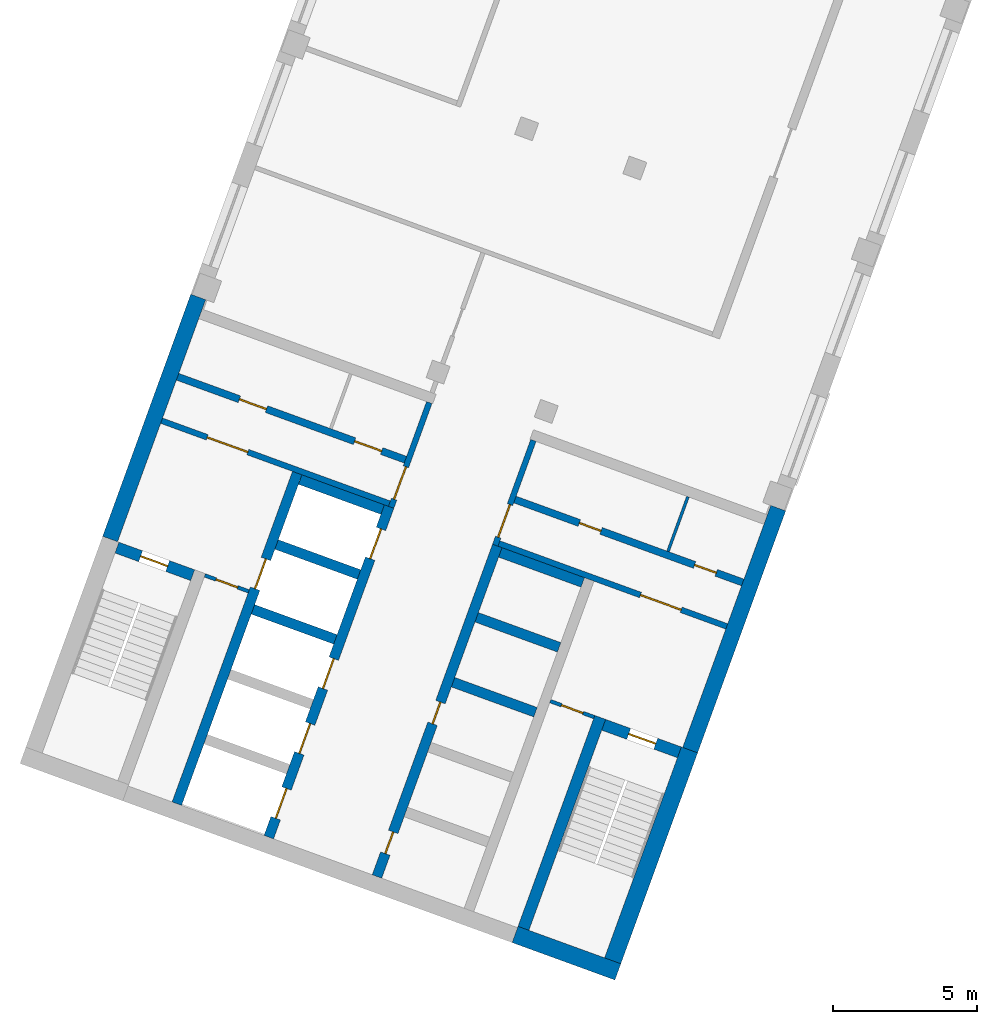
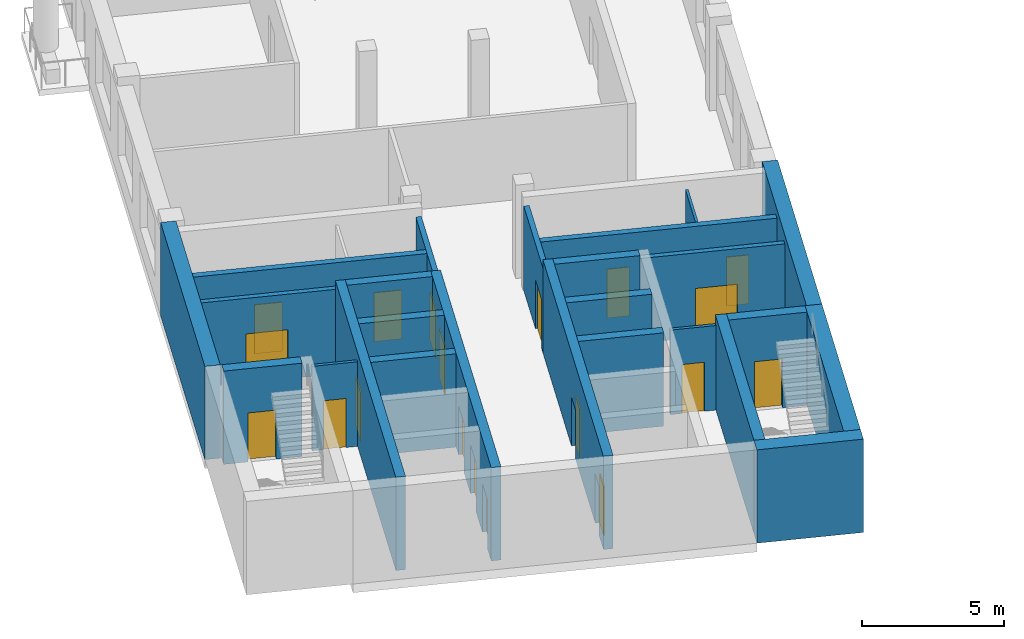
# One storey, part 2 of 10: 25 walls, 19 doors, 19 openings.
"""IFC4 building model written with IfcOpenShell, lengths in metres."""

from ifc_helpers import new_model, si_unit, direction, frame, frame_2d, origin, place, context, subcontext, project, spatial, rectangle, extrude, material, layer, layer_set, type_object, element, fill, save


model = new_model("IFC4")

# Units and contexts
model_context = context("Model", 3, precision=1e-05, world=origin(), true_north=direction((0.0, 1.0)))
body_context = subcontext(model_context, "Body", "Model", "MODEL_VIEW")
ifc_project = project(units=[si_unit("LENGTHUNIT", "METRE"), si_unit("AREAUNIT", "SQUARE_METRE"), si_unit("VOLUMEUNIT", "CUBIC_METRE"), si_unit("PLANEANGLEUNIT", "RADIAN"), si_unit("MASSUNIT", "GRAM", prefix="KILO")], contexts=[model_context])

# Site, building, storey
site_placement = place(None, origin())
site = spatial("IfcSite", under=ifc_project, at=site_placement, CompositionType="ELEMENT")
building_placement = place(site_placement, origin())
building = spatial("IfcBuilding", under=site, at=building_placement, Name="Skarvind Civic Tower", CompositionType="ELEMENT")
storey_placement = place(building_placement, frame((0.0, 0.0, 166.5)))
storey = spatial("IfcBuildingStorey", under=building, at=storey_placement, Name="L39", CompositionType="ELEMENT", Elevation=166.5)

# Wall, opening, door
ifc_material_1 = material(Name="Fire-rated masonry partition", Category="masonry")
ifc_layer_1 = layer(ifc_material_1, 0.199951171875)
ifc_layer_set_1 = layer_set([ifc_layer_1], Name="Core enclosure wall 200")
wall_type_1 = type_object("IfcWallType", Name="Core enclosure wall 200", PredefinedType="PARTITIONING", material=ifc_layer_set_1)
wall_1_placement = place(storey_placement, frame((31.45947265625, 93.67822265625, 0.0), z_axis=(0.0, 0.0, 1.0), x_axis=(0.341985870128, 0.939705094502, 0.0)))
wall_1 = element("IfcWall", 1, at=wall_1_placement, inside=storey, type_object=wall_type_1, Name="Core wall C2", PredefinedType="PARTITIONING", context=body_context, shape_type="SweptSolid", body=[
    extrude(rectangle(XDim=3.875, YDim=0.199951171875, at=frame_2d((1.9375, 0.0))), origin(), (0.0, 0.0, 1.0), 3.625),
])
opening_1_placement = place(wall_1_placement, frame((0.300048828125, 0.0, 0.0)))
opening_1 = element("IfcOpeningElement", 2, at=opening_1_placement, cuts=wall_1, Name="Opening D-L39-C2-07", PredefinedType="OPENING", context=body_context, shape_type="SweptSolid", body=[
    extrude(rectangle(XDim=1.199951171875, YDim=2.10009765625, at=frame_2d((0.60009765625, 1.050048828125))), frame((0.0, 0.10986328125, 0.0), z_axis=(0.0, -1.0, 0.0), x_axis=(1.0, 0.0, 0.0)), (0.0, 0.0, 1.0), 0.219970703125),
])
ifc_material_2 = material(Name="Fire-rated steel door", Category="steel")
door_type_1 = type_object("IfcDoorType", Name="Core lobby door 1200", OperationType="NOTDEFINED", PredefinedType="DOOR", material=ifc_material_2)
door_1_placement = place(opening_1_placement, origin())
door_1 = element("IfcDoor", 3, at=door_1_placement, inside=storey, type_object=door_type_1, Name="Fire door", OperationType="DOUBLE_DOOR_SINGLE_SWING", OverallHeight=2.10009765625, OverallWidth=1.199951171875, PredefinedType="DOOR", context=body_context, shape_type="SweptSolid", body=[
    extrude(rectangle(XDim=1.199951171875, YDim=2.10009765625, at=frame_2d((0.60009765625, 1.050048828125))), frame((0.0, 0.02490234375, 0.0), z_axis=(0.0, -1.0, 0.0), x_axis=(1.0, 0.0, 0.0)), (0.0, 0.0, 1.0), 0.050048828125),
])
fill(opening_1, door_1)

wall_2_placement = place(storey_placement, frame((23.482666015625, 96.68798828125, 0.0), z_axis=(0.0, 0.0, 1.0), x_axis=(0.939691007314, -0.342024576271, 0.0)))
wall_2 = element("IfcWall", 4, at=wall_2_placement, inside=storey, type_object=wall_type_1, Name="Core wall C2", PredefinedType="PARTITIONING", context=body_context, shape_type="SweptSolid", body=[
    extrude(rectangle(XDim=8.425048828125, YDim=0.199951171875, at=frame_2d((4.21240234375, 0.0))), origin(), (0.0, 0.0, 1.0), 3.625),
])
opening_2_placement = place(wall_2_placement, frame((1.6875, 0.0, 0.0)))
opening_2 = element("IfcOpeningElement", 5, at=opening_2_placement, cuts=wall_2, Name="Opening D-L39-C2-08", PredefinedType="OPENING", context=body_context, shape_type="SweptSolid", body=[
    extrude(rectangle(XDim=1.5, YDim=2.10009765625, at=frame_2d((0.75, 1.050048828125))), frame((0.0, 0.10986328125, 0.0), z_axis=(0.0, -1.0, 0.0), x_axis=(1.0, 0.0, 0.0)), (0.0, 0.0, 1.0), 0.219970703125),
])
door_type_2 = type_object("IfcDoorType", Name="Fire door 1500", OperationType="NOTDEFINED", PredefinedType="DOOR", material=ifc_material_2)
door_2_placement = place(opening_2_placement, origin())
door_2 = element("IfcDoor", 6, at=door_2_placement, inside=storey, type_object=door_type_2, Name="Fire door", OperationType="DOUBLE_DOOR_SINGLE_SWING", OverallHeight=2.10009765625, OverallWidth=1.5, PredefinedType="DOOR", context=body_context, shape_type="SweptSolid", body=[
    extrude(rectangle(XDim=1.5, YDim=2.10009765625, at=frame_2d((0.75, 1.050048828125))), frame((0.0, 0.02490234375, 0.0), z_axis=(0.0, -1.0, 0.0), x_axis=(1.0, 0.0, 0.0)), (0.0, 0.0, 1.0), 0.050048828125),
])
fill(opening_2, door_2)

wall_3_placement = place(storey_placement, frame((36.402587890625, 96.0029296875, 0.0), z_axis=(0.0, 0.0, 1.0), x_axis=(-0.342041503764, -0.939684845947, 0.0)))
wall_3 = element("IfcWall", 7, at=wall_3_placement, inside=storey, type_object=wall_type_1, Name="Core wall C2", PredefinedType="PARTITIONING", context=body_context, shape_type="SweptSolid", body=[
    extrude(rectangle(XDim=3.875, YDim=0.199951171875, at=frame_2d((1.9375, 0.0))), origin(), (0.0, 0.0, 1.0), 3.625),
])
opening_3_placement = place(wall_3_placement, frame((2.375, 0.0, 0.0)))
opening_3 = element("IfcOpeningElement", 8, at=opening_3_placement, cuts=wall_3, Name="Opening D-L39-C2-13", PredefinedType="OPENING", context=body_context, shape_type="SweptSolid", body=[
    extrude(rectangle(XDim=1.199951171875, YDim=2.10009765625, at=frame_2d((0.60009765625, 1.050048828125))), frame((0.0, 0.10986328125, 0.0), z_axis=(0.0, -1.0, 0.0), x_axis=(1.0, 0.0, 0.0)), (0.0, 0.0, 1.0), 0.219970703125),
])
door_3_placement = place(opening_3_placement, origin())
door_3 = element("IfcDoor", 9, at=door_3_placement, inside=storey, type_object=door_type_1, Name="Fire door", OperationType="DOUBLE_DOOR_SINGLE_SWING", OverallHeight=2.10009765625, OverallWidth=1.199951171875, PredefinedType="DOOR", context=body_context, shape_type="SweptSolid", body=[
    extrude(rectangle(XDim=1.199951171875, YDim=2.10009765625, at=frame_2d((0.60009765625, 1.050048828125))), frame((0.0, 0.02490234375, 0.0), z_axis=(0.0, -1.0, 0.0), x_axis=(1.0, 0.0, 0.0)), (0.0, 0.0, 1.0), 0.050048828125),
])
fill(opening_3, door_3)

wall_4_placement = place(storey_placement, frame((35.205322265625, 92.42138671875, 0.0), z_axis=(0.0, 0.0, 1.0), x_axis=(0.939691007314, -0.342024576271, 0.0)))
wall_4 = element("IfcWall", 10, at=wall_4_placement, inside=storey, type_object=wall_type_1, Name="Core wall C2", PredefinedType="PARTITIONING", context=body_context, shape_type="SweptSolid", body=[
    extrude(rectangle(XDim=8.425048828125, YDim=0.199951171875, at=frame_2d((4.21240234375, 0.0))), origin(), (0.0, 0.0, 1.0), 3.625),
])
opening_4_placement = place(wall_4_placement, frame((5.237548828125, 0.0, 0.0)))
opening_4 = element("IfcOpeningElement", 11, at=opening_4_placement, cuts=wall_4, Name="Opening D-L39-C2-14", PredefinedType="OPENING", context=body_context, shape_type="SweptSolid", body=[
    extrude(rectangle(XDim=1.5, YDim=2.10009765625, at=frame_2d((0.75, 1.050048828125))), frame((0.0, 0.10986328125, 0.0), z_axis=(0.0, -1.0, 0.0), x_axis=(1.0, 0.0, 0.0)), (0.0, 0.0, 1.0), 0.219970703125),
])
door_4_placement = place(opening_4_placement, origin())
door_4 = element("IfcDoor", 12, at=door_4_placement, inside=storey, type_object=door_type_2, Name="Fire door", OperationType="DOUBLE_DOOR_SINGLE_SWING", OverallHeight=2.10009765625, OverallWidth=1.5, PredefinedType="DOOR", context=body_context, shape_type="SweptSolid", body=[
    extrude(rectangle(XDim=1.5, YDim=2.10009765625, at=frame_2d((0.75, 1.050048828125))), frame((0.0, 0.02490234375, 0.0), z_axis=(0.0, -1.0, 0.0), x_axis=(1.0, 0.0, 0.0)), (0.0, 0.0, 1.0), 0.050048828125),
])
fill(opening_4, door_4)

# Wall
ifc_material_3 = material(Name="Fire-rated plasterboard partition")
ifc_layer_2 = layer(ifc_material_3, 0.10009765625)
ifc_layer_set_2 = layer_set([ifc_layer_2], Name="Core partition wall 100")
wall_type_2 = type_object("IfcWallType", Name="Core partition wall 100", PredefinedType="PARTITIONING", material=ifc_layer_set_2)
wall_5_placement = place(storey_placement, frame((41.77294921875, 94.048095703125, 0.0), z_axis=(0.0, 0.0, 1.0), x_axis=(-0.342043138314, -0.939684250976, 0.0)))
element("IfcWall", 13, at=wall_5_placement, inside=storey, type_object=wall_type_2, Name="Core wall C2", PredefinedType="PARTITIONING", context=body_context, shape_type="SweptSolid", body=[
    extrude(rectangle(XDim=2.02490234375, YDim=0.10009765625, at=frame_2d((1.012451171875, 0.0))), origin(), (0.0, 0.0, 1.0), 3.625),
])

# Wall, openings, doors
ifc_material_4 = material(Name="Concrete C60", Category="concrete")
ifc_layer_3 = layer(ifc_material_4, 0.35009765625)
ifc_layer_set_3 = layer_set([ifc_layer_3], Name="Core wall 350 C60")
wall_type_3 = type_object("IfcWallType", Name="Core wall 350 C60", PredefinedType="SHEAR", material=ifc_layer_set_3)
wall_6_placement = place(storey_placement, frame((30.966552734375, 80.84814453125, 0.0), z_axis=(0.0, 0.0, 1.0), x_axis=(0.34201563943, 0.939694260058, 0.0)))
wall_6 = element("IfcWall", 14, at=wall_6_placement, inside=storey, type_object=wall_type_3, Name="Core wall C2 south lift row front L39", PredefinedType="SHEAR", context=body_context, shape_type="SweptSolid", body=[
    extrude(rectangle(XDim=12.22509765625, YDim=0.35009765625, at=frame_2d((6.112548828125, 0.0))), origin(), (0.0, 0.0, 1.0), 4.0),
])
opening_5_placement = place(wall_6_placement, frame((0.85009765625, 0.0, 0.0)))
opening_5 = element("IfcOpeningElement", 15, at=opening_5_placement, cuts=wall_6, Name="Opening D-L39-C2-05", PredefinedType="OPENING", context=body_context, shape_type="SweptSolid", body=[
    extrude(rectangle(XDim=0.800048828125, YDim=2.10009765625, at=frame_2d((0.39990234375, 1.050048828125))), frame((0.0, 0.18505859375, 0.0), z_axis=(0.0, -1.0, 0.0), x_axis=(1.0, 0.0, 0.0)), (0.0, 0.0, 1.0), 0.3701171875),
])
opening_6_placement = place(wall_6_placement, frame((5.64990234375, 0.0, 0.0)))
opening_6 = element("IfcOpeningElement", 16, at=opening_6_placement, cuts=wall_6, Name="Opening D-L39-C2-06", PredefinedType="OPENING", context=body_context, shape_type="SweptSolid", body=[
    extrude(rectangle(XDim=0.800048828125, YDim=2.10009765625, at=frame_2d((0.39990234375, 1.050048828125))), frame((0.0, 0.18505859375, 0.0), z_axis=(0.0, -1.0, 0.0), x_axis=(1.0, 0.0, 0.0)), (0.0, 0.0, 1.0), 0.3701171875),
])
door_type_3 = type_object("IfcDoorType", Name="Core riser door 800", OperationType="NOTDEFINED", PredefinedType="DOOR", material=ifc_material_2)
door_5_placement = place(opening_5_placement, origin())
door_5 = element("IfcDoor", 17, at=door_5_placement, inside=storey, type_object=door_type_3, Name="Riser door", OperationType="SINGLE_SWING_LEFT", OverallHeight=2.10009765625, OverallWidth=0.800048828125, PredefinedType="DOOR", context=body_context, shape_type="SweptSolid", body=[
    extrude(rectangle(XDim=0.800048828125, YDim=2.10009765625, at=frame_2d((0.39990234375, 1.050048828125))), frame((0.0, 0.02490234375, 0.0), z_axis=(0.0, -1.0, 0.0), x_axis=(1.0, 0.0, 0.0)), (0.0, 0.0, 1.0), 0.050048828125),
])
fill(opening_5, door_5)
door_6_placement = place(opening_6_placement, origin())
door_6 = element("IfcDoor", 18, at=door_6_placement, inside=storey, type_object=door_type_3, Name="Riser door", OperationType="SINGLE_SWING_RIGHT", OverallHeight=2.10009765625, OverallWidth=0.800048828125, PredefinedType="DOOR", context=body_context, shape_type="SweptSolid", body=[
    extrude(rectangle(XDim=0.800048828125, YDim=2.10009765625, at=frame_2d((0.39990234375, 1.050048828125))), frame((0.0, 0.02490234375, 0.0), z_axis=(0.0, -1.0, 0.0), x_axis=(1.0, 0.0, 0.0)), (0.0, 0.0, 1.0), 0.050048828125),
])
fill(opening_6, door_6)

# Walls
for number, where, z_axis, x_axis, name in (
    (19, (36.4765625, 86.557861328125, 0.0), (0.0, 0.0, 1.0), (-0.939683528043, 0.3420451244, 0.0), "Core wall C2 south lift row division 3 L39"),
    (20, (37.297607421875, 88.813232421875, 0.0), (0.0, 0.0, 1.0), (-0.939692892192, 0.342019397644, 0.0), "Core wall C2 south lift row division 4 L39"),
    (21, (38.118408203125, 91.068359375, 0.0), (0.0, 0.0, 1.0), (-0.939692892192, 0.342019397644, 0.0), "Core wall C2 south lift row division 5 L39"),
):
    element("IfcWall", number, at=place(storey_placement, frame(where, z_axis=z_axis, x_axis=x_axis)), inside=storey, type_object=wall_type_3, Name=name, PredefinedType="SHEAR", context=body_context, shape_type="SweptSolid", body=[
        extrude(rectangle(XDim=3.050048828125, YDim=0.35009765625, at=frame_2d((1.52490234375, 0.0))), origin(), (0.0, 0.0, 1.0), 4.0),
    ])

# Wall, openings, doors
wall_7_placement = place(storey_placement, frame((27.207763671875, 82.21630859375, 0.0), z_axis=(0.0, 0.0, 1.0), x_axis=(0.34201563943, 0.939694260058, 0.0)))
wall_7 = element("IfcWall", 22, at=wall_7_placement, inside=storey, type_object=wall_type_3, Name="Core wall C2 north lift row front L39", PredefinedType="SHEAR", context=body_context, shape_type="SweptSolid", body=[
    extrude(rectangle(XDim=12.22509765625, YDim=0.35009765625, at=frame_2d((6.112548828125, 0.0))), origin(), (0.0, 0.0, 1.0), 4.0),
])
opening_7_placement = place(wall_7_placement, frame((0.699951171875, 0.0, 0.0)))
opening_7 = element("IfcOpeningElement", 23, at=opening_7_placement, cuts=wall_7, Name="Opening LD41201", PredefinedType="OPENING", context=body_context, shape_type="SweptSolid", body=[
    extrude(rectangle(XDim=1.10009765625, YDim=2.10009765625, at=frame_2d((0.550048828125, 1.050048828125))), frame((0.0, 0.18505859375, 0.0), z_axis=(0.0, -1.0, 0.0), x_axis=(1.0, 0.0, 0.0)), (0.0, 0.0, 1.0), 0.3701171875),
])
opening_8_placement = place(wall_7_placement, frame((3.10009765625, 0.0, 0.0)))
opening_8 = element("IfcOpeningElement", 24, at=opening_8_placement, cuts=wall_7, Name="Opening LD41202", PredefinedType="OPENING", context=body_context, shape_type="SweptSolid", body=[
    extrude(rectangle(XDim=1.10009765625, YDim=2.10009765625, at=frame_2d((0.550048828125, 1.050048828125))), frame((0.0, 0.18505859375, 0.0), z_axis=(0.0, -1.0, 0.0), x_axis=(1.0, 0.0, 0.0)), (0.0, 0.0, 1.0), 0.3701171875),
])
opening_9_placement = place(wall_7_placement, frame((5.5, 0.0, 0.0)))
opening_9 = element("IfcOpeningElement", 25, at=opening_9_placement, cuts=wall_7, Name="Opening LD41203", PredefinedType="OPENING", context=body_context, shape_type="SweptSolid", body=[
    extrude(rectangle(XDim=1.10009765625, YDim=2.10009765625, at=frame_2d((0.550048828125, 1.050048828125))), frame((0.0, 0.18505859375, 0.0), z_axis=(0.0, -1.0, 0.0), x_axis=(1.0, 0.0, 0.0)), (0.0, 0.0, 1.0), 0.3701171875),
])
opening_10_placement = place(wall_7_placement, frame((10.300048828125, 0.0, 0.0)))
opening_10 = element("IfcOpeningElement", 26, at=opening_10_placement, cuts=wall_7, Name="Opening LD41205", PredefinedType="OPENING", context=body_context, shape_type="SweptSolid", body=[
    extrude(rectangle(XDim=1.10009765625, YDim=2.10009765625, at=frame_2d((0.550048828125, 1.050048828125))), frame((0.0, 0.18505859375, 0.0), z_axis=(0.0, -1.0, 0.0), x_axis=(1.0, 0.0, 0.0)), (0.0, 0.0, 1.0), 0.3701171875),
])
ifc_material_5 = material(Name="Stainless steel landing door", Category="steel")
door_type_4 = type_object("IfcDoorType", Name="Lift landing door 1100", OperationType="DOUBLE_DOOR_SLIDING", PredefinedType="DOOR", material=ifc_material_5)
door_7_placement = place(opening_7_placement, origin())
door_7 = element("IfcDoor", 27, at=door_7_placement, inside=storey, type_object=door_type_4, Name="Lift landing door", OperationType="DOUBLE_DOOR_SLIDING", OverallHeight=2.10009765625, OverallWidth=1.10009765625, PredefinedType="DOOR", context=body_context, shape_type="SweptSolid", body=[
    extrude(rectangle(XDim=1.10009765625, YDim=2.10009765625, at=frame_2d((0.550048828125, 1.050048828125))), frame((0.0, 0.02490234375, 0.0), z_axis=(0.0, -1.0, 0.0), x_axis=(1.0, 0.0, 0.0)), (0.0, 0.0, 1.0), 0.050048828125),
])
fill(opening_7, door_7)
door_8_placement = place(opening_8_placement, origin())
door_8 = element("IfcDoor", 28, at=door_8_placement, inside=storey, type_object=door_type_4, Name="Lift landing door", OperationType="DOUBLE_DOOR_SLIDING", OverallHeight=2.10009765625, OverallWidth=1.10009765625, PredefinedType="DOOR", context=body_context, shape_type="SweptSolid", body=[
    extrude(rectangle(XDim=1.10009765625, YDim=2.10009765625, at=frame_2d((0.550048828125, 1.050048828125))), frame((0.0, 0.02490234375, 0.0), z_axis=(0.0, -1.0, 0.0), x_axis=(1.0, 0.0, 0.0)), (0.0, 0.0, 1.0), 0.050048828125),
])
fill(opening_8, door_8)
door_9_placement = place(opening_9_placement, origin())
door_9 = element("IfcDoor", 29, at=door_9_placement, inside=storey, type_object=door_type_4, Name="Lift landing door", OperationType="DOUBLE_DOOR_SLIDING", OverallHeight=2.10009765625, OverallWidth=1.10009765625, PredefinedType="DOOR", context=body_context, shape_type="SweptSolid", body=[
    extrude(rectangle(XDim=1.10009765625, YDim=2.10009765625, at=frame_2d((0.550048828125, 1.050048828125))), frame((0.0, 0.02490234375, 0.0), z_axis=(0.0, -1.0, 0.0), x_axis=(1.0, 0.0, 0.0)), (0.0, 0.0, 1.0), 0.050048828125),
])
fill(opening_9, door_9)
door_10_placement = place(opening_10_placement, origin())
door_10 = element("IfcDoor", 30, at=door_10_placement, inside=storey, type_object=door_type_4, Name="Lift landing door", OperationType="DOUBLE_DOOR_SLIDING", OverallHeight=2.10009765625, OverallWidth=1.10009765625, PredefinedType="DOOR", context=body_context, shape_type="SweptSolid", body=[
    extrude(rectangle(XDim=1.10009765625, YDim=2.10009765625, at=frame_2d((0.550048828125, 1.050048828125))), frame((0.0, 0.02490234375, 0.0), z_axis=(0.0, -1.0, 0.0), x_axis=(1.0, 0.0, 0.0)), (0.0, 0.0, 1.0), 0.050048828125),
])
fill(opening_10, door_10)

# Wall, opening, door
wall_8_placement = place(storey_placement, frame((24.0126953125, 83.379150390625, 0.0), z_axis=(0.0, 0.0, 1.0), x_axis=(0.34201563943, 0.939694260058, 0.0)))
wall_8 = element("IfcWall", 31, at=wall_8_placement, inside=storey, type_object=wall_type_3, Name="Core wall C2 north lift row back L39", PredefinedType="SHEAR", context=body_context, shape_type="SweptSolid", body=[
    extrude(rectangle(XDim=12.22509765625, YDim=0.35009765625, at=frame_2d((6.112548828125, 0.0))), origin(), (0.0, 0.0, 1.0), 4.0),
])
opening_11_placement = place(wall_8_placement, frame((7.949951171875, 0.0, 0.0)))
opening_11 = element("IfcOpeningElement", 32, at=opening_11_placement, cuts=wall_8, Name="Opening LD41204", PredefinedType="OPENING", context=body_context, shape_type="SweptSolid", body=[
    extrude(rectangle(XDim=1.10009765625, YDim=2.10009765625, at=frame_2d((0.550048828125, 1.050048828125))), frame((0.0, 0.18505859375, 0.0), z_axis=(0.0, -1.0, 0.0), x_axis=(1.0, 0.0, 0.0)), (0.0, 0.0, 1.0), 0.3701171875),
])
door_11_placement = place(opening_11_placement, origin())
door_11 = element("IfcDoor", 33, at=door_11_placement, inside=storey, type_object=door_type_4, Name="Lift landing door", OperationType="DOUBLE_DOOR_SLIDING", OverallHeight=2.10009765625, OverallWidth=1.10009765625, PredefinedType="DOOR", context=body_context, shape_type="SweptSolid", body=[
    extrude(rectangle(XDim=1.10009765625, YDim=2.10009765625, at=frame_2d((0.550048828125, 1.050048828125))), frame((0.0, 0.02490234375, 0.0), z_axis=(0.0, -1.0, 0.0), x_axis=(1.0, 0.0, 0.0)), (0.0, 0.0, 1.0), 0.050048828125),
])
fill(opening_11, door_11)

# Walls
wall_9_placement = place(storey_placement, frame((29.52294921875, 89.0888671875, 0.0), z_axis=(0.0, 0.0, 1.0), x_axis=(-0.939692892192, 0.342019397644, 0.0)))
element("IfcWall", 34, at=wall_9_placement, inside=storey, type_object=wall_type_3, Name="Core wall C2 north lift row division 3 L39", PredefinedType="SHEAR", context=body_context, shape_type="SweptSolid", body=[
    extrude(rectangle(XDim=3.050048828125, YDim=0.35009765625, at=frame_2d((1.52490234375, 0.0))), origin(), (0.0, 0.0, 1.0), 4.0),
])
wall_10_placement = place(storey_placement, frame((30.34375, 91.34423828125, 0.0), z_axis=(0.0, 0.0, 1.0), x_axis=(-0.939709254651, 0.341974438698, 0.0)))
element("IfcWall", 35, at=wall_10_placement, inside=storey, type_object=wall_type_3, Name="Core wall C2 north lift row division 4 L39", PredefinedType="SHEAR", context=body_context, shape_type="SweptSolid", body=[
    extrude(rectangle(XDim=3.0498046875, YDim=0.35009765625, at=frame_2d((1.52490234375, 0.0))), origin(), (0.0, 0.0, 1.0), 4.0),
])
wall_11_placement = place(storey_placement, frame((31.16455078125, 93.599365234375, 0.0), z_axis=(0.0, 0.0, 1.0), x_axis=(-0.939683528043, 0.3420451244, 0.0)))
element("IfcWall", 36, at=wall_11_placement, inside=storey, type_object=wall_type_3, Name="Core wall C2 north lift row division 5 L39", PredefinedType="SHEAR", context=body_context, shape_type="SweptSolid", body=[
    extrude(rectangle(XDim=3.050048828125, YDim=0.35009765625, at=frame_2d((1.52490234375, 0.0))), origin(), (0.0, 0.0, 1.0), 4.0),
])
ifc_layer_4 = layer(ifc_material_4, 0.39990234375)
ifc_layer_set_4 = layer_set([ifc_layer_4], Name="Core wall 400 C60")
wall_type_4 = type_object("IfcWallType", Name="Core wall 400 C60", PredefinedType="SHEAR", material=ifc_layer_set_4)
wall_12_placement = place(storey_placement, frame((36.057861328125, 79.04833984375, 0.0), z_axis=(0.0, 0.0, 1.0), x_axis=(0.342016982193, 0.939693771338, 0.0)))
element("IfcWall", 37, at=wall_12_placement, inside=storey, type_object=wall_type_4, Name="Core wall C2 south stair inner L39", PredefinedType="SHEAR", context=body_context, shape_type="SweptSolid", body=[
    extrude(rectangle(XDim=7.800048828125, YDim=0.39990234375, at=frame_2d((3.89990234375, 0.0))), origin(), (0.0, 0.0, 1.0), 4.0),
])

# Wall, opening, door
wall_13_placement = place(storey_placement, frame((41.476318359375, 85.163818359375, 0.0), z_axis=(0.0, 0.0, 1.0), x_axis=(-0.939678810556, 0.342058084236, 0.0)))
wall_13 = element("IfcWall", 38, at=wall_13_placement, inside=storey, type_object=wall_type_4, Name="Core wall C2 south stair end L39", PredefinedType="SHEAR", context=body_context, shape_type="SweptSolid", body=[
    extrude(rectangle(XDim=2.800048828125, YDim=0.39990234375, at=frame_2d((1.39990234375, 0.0))), origin(), (0.0, 0.0, 1.0), 4.0),
])
opening_12_placement = place(wall_13_placement, frame((0.875, 0.0, 0.0)))
opening_12 = element("IfcOpeningElement", 39, at=opening_12_placement, cuts=wall_13, Name="Opening D-L39-C2-15", PredefinedType="OPENING", context=body_context, shape_type="SweptSolid", body=[
    extrude(rectangle(XDim=1.0, YDim=2.10009765625, at=frame_2d((0.5, 1.050048828125))), frame((0.0, 0.2099609375, 0.0), z_axis=(0.0, -1.0, 0.0), x_axis=(1.0, 0.0, 0.0)), (0.0, 0.0, 1.0), 0.419921875),
])
door_type_5 = type_object("IfcDoorType", Name="Fire door 1000", OperationType="NOTDEFINED", PredefinedType="DOOR", material=ifc_material_2)
door_12_placement = place(opening_12_placement, origin())
door_12 = element("IfcDoor", 40, at=door_12_placement, inside=storey, type_object=door_type_5, Name="Fire door", OperationType="SINGLE_SWING_RIGHT", OverallHeight=2.10009765625, OverallWidth=1.0, PredefinedType="DOOR", context=body_context, shape_type="SweptSolid", body=[
    extrude(rectangle(XDim=1.0, YDim=2.10009765625, at=frame_2d((0.5, 1.050048828125))), frame((0.0, 0.02490234375, 0.0), z_axis=(0.0, -1.0, 0.0), x_axis=(1.0, 0.0, 0.0)), (0.0, 0.0, 1.0), 0.050048828125),
])
fill(opening_12, door_12)

wall_14_placement = place(storey_placement, frame((24.56201171875, 91.3203125, 0.0), z_axis=(0.0, 0.0, 1.0), x_axis=(-0.939717030584, 0.341953070509, 0.0)))
wall_14 = element("IfcWall", 41, at=wall_14_placement, inside=storey, type_object=wall_type_4, Name="Core wall C2 north stair end L39", PredefinedType="SHEAR", context=body_context, shape_type="SweptSolid", body=[
    extrude(rectangle(XDim=2.800048828125, YDim=0.39990234375, at=frame_2d((1.39990234375, 0.0))), origin(), (0.0, 0.0, 1.0), 4.0),
])
opening_13_placement = place(wall_14_placement, frame((0.925048828125, 0.0, 0.0)))
opening_13 = element("IfcOpeningElement", 42, at=opening_13_placement, cuts=wall_14, Name="Opening D-L39-C2-09", PredefinedType="OPENING", context=body_context, shape_type="SweptSolid", body=[
    extrude(rectangle(XDim=1.0, YDim=2.10009765625, at=frame_2d((0.5, 1.050048828125))), frame((0.0, 0.2099609375, 0.0), z_axis=(0.0, -1.0, 0.0), x_axis=(1.0, 0.0, 0.0)), (0.0, 0.0, 1.0), 0.419921875),
])
door_13_placement = place(opening_13_placement, origin())
door_13 = element("IfcDoor", 43, at=door_13_placement, inside=storey, type_object=door_type_5, Name="Fire door", OperationType="SINGLE_SWING_LEFT", OverallHeight=2.10009765625, OverallWidth=1.0, PredefinedType="DOOR", context=body_context, shape_type="SweptSolid", body=[
    extrude(rectangle(XDim=1.0, YDim=2.10009765625, at=frame_2d((0.5, 1.050048828125))), frame((0.0, 0.02490234375, 0.0), z_axis=(0.0, -1.0, 0.0), x_axis=(1.0, 0.0, 0.0)), (0.0, 0.0, 1.0), 0.050048828125),
])
fill(opening_13, door_13)

# Walls
ifc_layer_5 = layer(ifc_material_4, 0.550048828125)
ifc_layer_set_5 = layer_set([ifc_layer_5], Name="Core wall 550 C60")
wall_type_5 = type_object("IfcWallType", Name="Core wall 550 C60", PredefinedType="SHEAR", material=ifc_layer_set_5)
wall_15_placement = place(storey_placement, frame((41.85009765625, 85.24072265625, 0.0), z_axis=(0.0, 0.0, 1.0), x_axis=(0.34201902012, 0.939693029598, 0.0)))
element("IfcWall", 44, at=wall_15_placement, inside=storey, type_object=wall_type_5, Name="Core wall C2 south side L39", PredefinedType="SHEAR", context=body_context, shape_type="SweptSolid", body=[
    extrude(rectangle(XDim=8.949951171875, YDim=0.550048828125, at=frame_2d((4.47509765625, 0.0))), origin(), (0.0, 0.0, 1.0), 4.0),
])
wall_16_placement = place(storey_placement, frame((21.69384765625, 92.576904296875, 0.0), z_axis=(0.0, 0.0, 1.0), x_axis=(0.342010253184, 0.939696220444, 0.0)))
element("IfcWall", 45, at=wall_16_placement, inside=storey, type_object=wall_type_5, Name="Core wall C2 north side L39", PredefinedType="SHEAR", context=body_context, shape_type="SweptSolid", body=[
    extrude(rectangle(XDim=8.9501953125, YDim=0.550048828125, at=frame_2d((4.47509765625, 0.0))), origin(), (0.0, 0.0, 1.0), 4.0),
])
ifc_layer_6 = layer(ifc_material_4, 0.60009765625)
ifc_layer_set_6 = layer_set([ifc_layer_6], Name="Core wall 600 C60")
wall_type_6 = type_object("IfcWallType", Name="Core wall 600 C60", PredefinedType="SHEAR", material=ifc_layer_set_6)
wall_17_placement = place(storey_placement, frame((39.338134765625, 77.53515625, 0.0), z_axis=(0.0, 0.0, 1.0), x_axis=(-0.939701471648, 0.341995824804, 0.0)))
element("IfcWall", 46, at=wall_17_placement, inside=storey, type_object=wall_type_6, Name="Core wall C2 tip at the south stair L39", PredefinedType="SHEAR", context=body_context, shape_type="SweptSolid", body=[
    extrude(rectangle(XDim=3.800048828125, YDim=0.60009765625, at=frame_2d((1.89990234375, 0.0))), origin(), (0.0, 0.0, 1.0), 4.0),
])
wall_18_placement = place(storey_placement, frame((39.158935546875, 77.919677734375, 0.0), z_axis=(0.0, 0.0, 1.0), x_axis=(0.342016982193, 0.939693771338, 0.0)))
element("IfcWall", 47, at=wall_18_placement, inside=storey, type_object=wall_type_6, Name="Core wall C2 south side at the stair L39", PredefinedType="SHEAR", context=body_context, shape_type="SweptSolid", body=[
    extrude(rectangle(XDim=7.800048828125, YDim=0.60009765625, at=frame_2d((3.89990234375, 0.0))), origin(), (0.0, 0.0, 1.0), 4.0),
])

# Wall, opening, door
ifc_layer_7 = layer(ifc_material_1, 0.125)
ifc_layer_set_7 = layer_set([ifc_layer_7], Name="Riser wall 125")
wall_type_7 = type_object("IfcWallType", Name="Riser wall 125", PredefinedType="PARTITIONING", material=ifc_layer_set_7)
wall_19_placement = place(storey_placement, frame((24.98486328125, 91.3125, 0.0), z_axis=(0.0, 0.0, 1.0), x_axis=(0.939705651352, -0.341984340019, 0.0)))
wall_19 = element("IfcWall", 48, at=wall_19_placement, inside=storey, type_object=wall_type_7, Name="Core wall C2", PredefinedType="PARTITIONING", context=body_context, shape_type="SweptSolid", body=[
    extrude(rectangle(XDim=1.624755859375, YDim=0.125, at=frame_2d((0.8125, 0.0))), origin(), (0.0, 0.0, 1.0), 3.625),
])
opening_14_placement = place(wall_19_placement, frame((0.41259765625, 0.0, 0.0)))
opening_14 = element("IfcOpeningElement", 49, at=opening_14_placement, cuts=wall_19, Name="Opening D-L39-C2-10", PredefinedType="OPENING", context=body_context, shape_type="SweptSolid", body=[
    extrude(rectangle(XDim=0.800048828125, YDim=2.10009765625, at=frame_2d((0.39990234375, 1.050048828125))), frame((0.0, 0.072509765625, 0.0), z_axis=(0.0, -1.0, 0.0), x_axis=(1.0, 0.0, 0.0)), (0.0, 0.0, 1.0), 0.14501953125),
])
door_14_placement = place(opening_14_placement, origin())
door_14 = element("IfcDoor", 50, at=door_14_placement, inside=storey, type_object=door_type_3, Name="Riser door", OperationType="SINGLE_SWING_RIGHT", OverallHeight=2.10009765625, OverallWidth=0.800048828125, PredefinedType="DOOR", context=body_context, shape_type="SweptSolid", body=[
    extrude(rectangle(XDim=0.800048828125, YDim=2.10009765625, at=frame_2d((0.39990234375, 1.050048828125))), frame((0.0, 0.02490234375, 0.0), z_axis=(0.0, -1.0, 0.0), x_axis=(1.0, 0.0, 0.0)), (0.0, 0.0, 1.0), 0.050048828125),
])
fill(opening_14, door_14)

wall_20_placement = place(storey_placement, frame((36.989501953125, 86.943359375, 0.0), z_axis=(0.0, 0.0, 1.0), x_axis=(0.939657357267, -0.342117013511, 0.0)))
wall_20 = element("IfcWall", 51, at=wall_20_placement, inside=storey, type_object=wall_type_7, Name="Core wall C2", PredefinedType="PARTITIONING", context=body_context, shape_type="SweptSolid", body=[
    extrude(rectangle(XDim=1.625, YDim=0.125, at=frame_2d((0.8125, 0.0))), origin(), (0.0, 0.0, 1.0), 3.625),
])
opening_15_placement = place(wall_20_placement, frame((0.41259765625, 0.0, 0.0)))
opening_15 = element("IfcOpeningElement", 52, at=opening_15_placement, cuts=wall_20, Name="Opening D-L39-C2-16", PredefinedType="OPENING", context=body_context, shape_type="SweptSolid", body=[
    extrude(rectangle(XDim=0.800048828125, YDim=2.10009765625, at=frame_2d((0.39990234375, 1.050048828125))), frame((0.0, 0.072509765625, 0.0), z_axis=(0.0, -1.0, 0.0), x_axis=(1.0, 0.0, 0.0)), (0.0, 0.0, 1.0), 0.14501953125),
])
door_15_placement = place(opening_15_placement, origin())
door_15 = element("IfcDoor", 53, at=door_15_placement, inside=storey, type_object=door_type_3, Name="Riser door", OperationType="SINGLE_SWING_LEFT", OverallHeight=2.10009765625, OverallWidth=0.800048828125, PredefinedType="DOOR", context=body_context, shape_type="SweptSolid", body=[
    extrude(rectangle(XDim=0.800048828125, YDim=2.10009765625, at=frame_2d((0.39990234375, 1.050048828125))), frame((0.0, 0.02490234375, 0.0), z_axis=(0.0, -1.0, 0.0), x_axis=(1.0, 0.0, 0.0)), (0.0, 0.0, 1.0), 0.050048828125),
])
fill(opening_15, door_15)

# Wall, openings, doors
ifc_layer_8 = layer(ifc_material_1, 0.25)
ifc_layer_set_8 = layer_set([ifc_layer_8], Name="Service block wall 250")
wall_type_8 = type_object("IfcWallType", Name="Service block wall 250", PredefinedType="PARTITIONING", material=ifc_layer_set_8)
wall_21_placement = place(storey_placement, frame((24.03857421875, 98.215087890625, 0.0), z_axis=(0.0, 0.0, 1.0), x_axis=(0.939687617333, -0.342033889887, 0.0)))
wall_21 = element("IfcWall", 54, at=wall_21_placement, inside=storey, type_object=wall_type_8, Name="Core wall C2", PredefinedType="PARTITIONING", context=body_context, shape_type="SweptSolid", body=[
    extrude(rectangle(XDim=8.4248046875, YDim=0.25, at=frame_2d((4.21240234375, 0.0))), origin(), (0.0, 0.0, 1.0), 3.625),
])
opening_16_placement = place(wall_21_placement, frame((6.547607421875, 0.0, 0.0)))
opening_16 = element("IfcOpeningElement", 55, at=opening_16_placement, cuts=wall_21, Name="Opening D-L39-C2-11", PredefinedType="OPENING", context=body_context, shape_type="SweptSolid", body=[
    extrude(rectangle(XDim=1.0, YDim=2.10009765625, at=frame_2d((0.5, 1.050048828125))), frame((0.0, 0.135009765625, 0.0), z_axis=(0.0, -1.0, 0.0), x_axis=(1.0, 0.0, 0.0)), (0.0, 0.0, 1.0), 0.27001953125),
])
opening_17_placement = place(wall_21_placement, frame((2.284912109375, 0.0, 0.0)))
opening_17 = element("IfcOpeningElement", 56, at=opening_17_placement, cuts=wall_21, Name="Opening D-L39-C2-12", PredefinedType="OPENING", context=body_context, shape_type="SweptSolid", body=[
    extrude(rectangle(XDim=1.0, YDim=2.10009765625, at=frame_2d((0.5, 1.050048828125))), frame((0.0, 0.135009765625, 0.0), z_axis=(0.0, -1.0, 0.0), x_axis=(1.0, 0.0, 0.0)), (0.0, 0.0, 1.0), 0.27001953125),
])
door_16_placement = place(opening_16_placement, origin())
door_16 = element("IfcDoor", 57, at=door_16_placement, inside=storey, type_object=door_type_5, Name="Fire door", OperationType="SINGLE_SWING_LEFT", OverallHeight=2.10009765625, OverallWidth=1.0, PredefinedType="DOOR", context=body_context, shape_type="SweptSolid", body=[
    extrude(rectangle(XDim=1.0, YDim=2.10009765625, at=frame_2d((0.5, 1.050048828125))), frame((0.0, 0.02490234375, 0.0), z_axis=(0.0, -1.0, 0.0), x_axis=(1.0, 0.0, 0.0)), (0.0, 0.0, 1.0), 0.050048828125),
])
fill(opening_16, door_16)
door_17_placement = place(opening_17_placement, origin())
door_17 = element("IfcDoor", 58, at=door_17_placement, inside=storey, type_object=door_type_5, Name="Fire door", OperationType="SINGLE_SWING_RIGHT", OverallHeight=2.10009765625, OverallWidth=1.0, PredefinedType="DOOR", context=body_context, shape_type="SweptSolid", body=[
    extrude(rectangle(XDim=1.0, YDim=2.10009765625, at=frame_2d((0.5, 1.050048828125))), frame((0.0, 0.02490234375, 0.0), z_axis=(0.0, -1.0, 0.0), x_axis=(1.0, 0.0, 0.0)), (0.0, 0.0, 1.0), 0.050048828125),
])
fill(opening_17, door_17)

wall_22_placement = place(storey_placement, frame((35.76123046875, 93.9482421875, 0.0), z_axis=(0.0, 0.0, 1.0), x_axis=(0.93969693093, -0.342008301071, 0.0)))
wall_22 = element("IfcWall", 59, at=wall_22_placement, inside=storey, type_object=wall_type_8, Name="Core wall C2", PredefinedType="PARTITIONING", context=body_context, shape_type="SweptSolid", body=[
    extrude(rectangle(XDim=8.4248046875, YDim=0.25, at=frame_2d((4.21240234375, 0.0))), origin(), (0.0, 0.0, 1.0), 3.625),
])
opening_18_placement = place(wall_22_placement, frame((2.382568359375, 0.0, 0.0)))
opening_18 = element("IfcOpeningElement", 60, at=opening_18_placement, cuts=wall_22, Name="Opening D-L39-C2-17", PredefinedType="OPENING", context=body_context, shape_type="SweptSolid", body=[
    extrude(rectangle(XDim=0.800048828125, YDim=2.10009765625, at=frame_2d((0.39990234375, 1.050048828125))), frame((0.0, 0.135009765625, 0.0), z_axis=(0.0, -1.0, 0.0), x_axis=(1.0, 0.0, 0.0)), (0.0, 0.0, 1.0), 0.27001953125),
])
opening_19_placement = place(wall_22_placement, frame((6.64501953125, 0.0, 0.0)))
opening_19 = element("IfcOpeningElement", 61, at=opening_19_placement, cuts=wall_22, Name="Opening D-L39-C2-18", PredefinedType="OPENING", context=body_context, shape_type="SweptSolid", body=[
    extrude(rectangle(XDim=0.800048828125, YDim=2.10009765625, at=frame_2d((0.39990234375, 1.050048828125))), frame((0.0, 0.135009765625, 0.0), z_axis=(0.0, -1.0, 0.0), x_axis=(1.0, 0.0, 0.0)), (0.0, 0.0, 1.0), 0.27001953125),
])
door_18_placement = place(opening_18_placement, origin())
door_18 = element("IfcDoor", 62, at=door_18_placement, inside=storey, type_object=door_type_3, Name="Riser door", OperationType="SINGLE_SWING_RIGHT", OverallHeight=2.10009765625, OverallWidth=0.800048828125, PredefinedType="DOOR", context=body_context, shape_type="SweptSolid", body=[
    extrude(rectangle(XDim=0.800048828125, YDim=2.10009765625, at=frame_2d((0.39990234375, 1.050048828125))), frame((0.0, 0.02490234375, 0.0), z_axis=(0.0, -1.0, 0.0), x_axis=(1.0, 0.0, 0.0)), (0.0, 0.0, 1.0), 0.050048828125),
])
fill(opening_18, door_18)
door_19_placement = place(opening_19_placement, origin())
door_19 = element("IfcDoor", 63, at=door_19_placement, inside=storey, type_object=door_type_3, Name="Riser door", OperationType="SINGLE_SWING_LEFT", OverallHeight=2.10009765625, OverallWidth=0.800048828125, PredefinedType="DOOR", context=body_context, shape_type="SweptSolid", body=[
    extrude(rectangle(XDim=0.800048828125, YDim=2.10009765625, at=frame_2d((0.39990234375, 1.050048828125))), frame((0.0, 0.02490234375, 0.0), z_axis=(0.0, -1.0, 0.0), x_axis=(1.0, 0.0, 0.0)), (0.0, 0.0, 1.0), 0.050048828125),
])
fill(opening_19, door_19)

save(model, "model.ifc")
